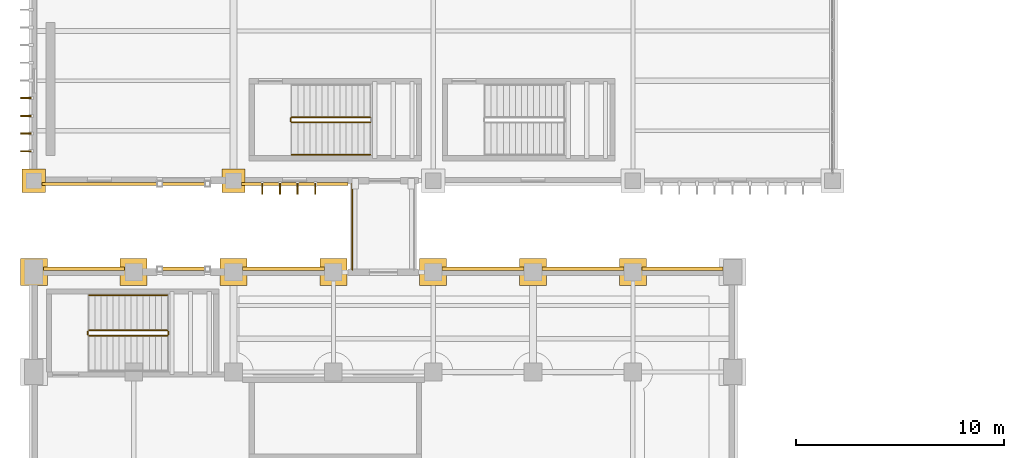
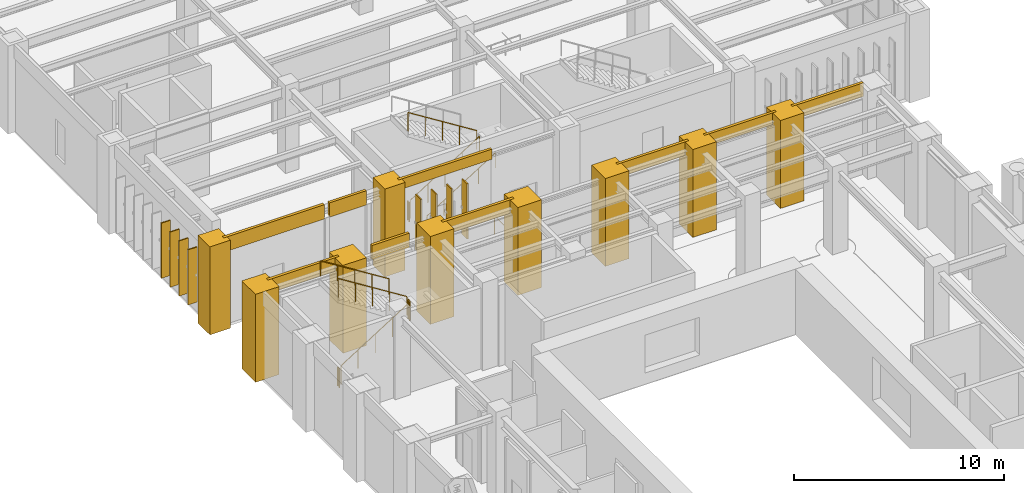
# One storey, part 165 of 174: 18 coverings, 10 railings, 8 shading devices.
"""IFC4 building model written with IfcOpenShell, lengths in metres."""

from ifc_helpers import new_model, si_unit, direction, frame, origin, origin_2d, place, context, subcontext, project, spatial, polyline, rectangle, circle, outline, extrude, material, layer, layer_set, type_object, element, save


model = new_model("IFC4")

# Units and contexts
model_context = context("Model", 3, precision=1e-05, world=origin(), true_north=direction((0.0, 1.0)))
body_context = subcontext(model_context, "Body", "Model", "MODEL_VIEW")
ifc_project = project(units=[si_unit("LENGTHUNIT", "METRE"), si_unit("AREAUNIT", "SQUARE_METRE"), si_unit("VOLUMEUNIT", "CUBIC_METRE"), si_unit("PLANEANGLEUNIT", "RADIAN"), si_unit("MASSUNIT", "GRAM", prefix="KILO")], contexts=[model_context])

# Site, building, storey
site_placement = place(None, origin())
site = spatial("IfcSite", under=ifc_project, at=site_placement, CompositionType="ELEMENT")
building_placement = place(site_placement, origin())
building = spatial("IfcBuilding", under=site, at=building_placement, Name="Mavantir Sound Aquarium", CompositionType="ELEMENT")
storey_placement = place(building_placement, frame((0.0, 0.0, 5.39990234375)))
storey = spatial("IfcBuildingStorey", under=building, at=storey_placement, Name="L01", CompositionType="ELEMENT", Elevation=5.39990234375)

# Coverings
ifc_material_1 = material(Name="Honed Coral-Limestone & Glazed Terracotta Rainscreen Cladding", Category="masonry")
ifc_layer = layer(ifc_material_1, 0.06005859375, Name="Honed Coral-Limestone & Glazed Terracotta Rainscreen Cladding")
ifc_layer_set = layer_set([ifc_layer], Name="Honed Coral-Limestone & Glazed Terracotta Rainscreen Cladding")
covering_type = type_object("IfcCoveringType", Name="COV-CLAD-TC", PredefinedType="CLADDING", material=ifc_layer_set)
covering_1_placement = place(storey_placement, frame((0.0, 0.0, 4.30810546875)))
element("IfcCovering", 1, at=covering_1_placement, inside=storey, type_object=covering_type, Name="L01 Postmodern coral-limestone spandrel frieze 162", PredefinedType="CLADDING", context=body_context, shape_type="SweptSolid", body=[
    extrude(outline(polyline([(33.14208984375, 79.2900390625), (29.23291015625, 79.2900390625), (29.23291015625, 79.43994140625), (33.14208984375, 79.43994140625), (33.14208984375, 79.2900390625)])), origin(), (0.0, 0.0, 1.0), 0.7919921875),
])
covering_2_placement = place(storey_placement, frame((0.0, 0.0, 4.4130859375)))
element("IfcCovering", 2, at=covering_2_placement, inside=storey, type_object=covering_type, Name="L01 Postmodern coral-limestone spandrel frieze 163", PredefinedType="CLADDING", context=body_context, shape_type="SweptSolid", body=[
    extrude(outline(polyline([(28.366943359375, 79.2900390625), (24.43310546875, 79.2900390625), (24.43310546875, 79.43994140625), (28.366943359375, 79.43994140625), (28.366943359375, 79.2900390625)])), origin(), (0.0, 0.0, 1.0), 0.68701171875),
])
covering_3_placement = place(storey_placement, frame((0.0, 0.0, 4.30810546875)))
element("IfcCovering", 3, at=covering_3_placement, inside=storey, type_object=covering_type, Name="L01 Postmodern coral-limestone spandrel frieze 164", PredefinedType="CLADDING", context=body_context, shape_type="SweptSolid", body=[
    extrude(outline(polyline([(23.56689453125, 79.2900390625), (19.633056640625, 79.2900390625), (19.633056640625, 79.43994140625), (23.56689453125, 79.43994140625), (23.56689453125, 79.2900390625)])), origin(), (0.0, 0.0, 1.0), 0.7919921875),
])
covering_4_placement = place(storey_placement, frame((0.0, 0.0, 4.30810546875)))
element("IfcCovering", 4, at=covering_4_placement, inside=storey, type_object=covering_type, Name="L01 Postmodern coral-limestone spandrel frieze 165", PredefinedType="CLADDING", context=body_context, shape_type="SweptSolid", body=[
    extrude(outline(polyline([(13.967041015625, 79.2900390625), (10.032958984375, 79.2900390625), (10.032958984375, 79.43994140625), (13.967041015625, 79.43994140625), (13.967041015625, 79.2900390625)])), origin(), (0.0, 0.0, 1.0), 0.7919921875),
])
covering_5_placement = place(storey_placement, frame((0.0, 0.0, 4.27099609375)))
element("IfcCovering", 5, at=covering_5_placement, inside=storey, type_object=covering_type, Name="L01 Postmodern coral-limestone spandrel frieze 166", PredefinedType="CLADDING", context=body_context, shape_type="SweptSolid", body=[
    extrude(outline(polyline([(8.217041015625, 79.2900390625), (6.18310546875, 79.2900390625), (6.18310546875, 79.43994140625), (8.217041015625, 79.43994140625), (8.217041015625, 79.2900390625)])), origin(), (0.0, 0.0, 1.0), 0.8291015625),
])
covering_6_placement = place(storey_placement, frame((0.0, 0.0, 4.30810546875)))
element("IfcCovering", 6, at=covering_6_placement, inside=storey, type_object=covering_type, Name="L01 Postmodern coral-limestone spandrel frieze 167", PredefinedType="CLADDING", context=body_context, shape_type="SweptSolid", body=[
    extrude(outline(polyline([(4.366943359375, 79.2900390625), (0.4580078125, 79.2900390625), (0.4580078125, 79.43994140625), (4.366943359375, 79.43994140625), (4.366943359375, 79.2900390625)])), origin(), (0.0, 0.0, 1.0), 0.7919921875),
])
covering_7_placement = place(storey_placement, frame((0.0, 0.0, 4.27099609375)))
element("IfcCovering", 7, at=covering_7_placement, inside=storey, type_object=covering_type, Name="L01 Postmodern coral-limestone spandrel frieze 255", PredefinedType="CLADDING", context=body_context, shape_type="SweptSolid", body=[
    extrude(outline(polyline([(0.383056640625, 83.510009765625), (5.9169921875, 83.510009765625), (5.9169921875, 83.360107421875), (0.383056640625, 83.360107421875), (0.383056640625, 83.510009765625)])), origin(), (0.0, 0.0, 1.0), 0.8291015625),
])
covering_8_placement = place(storey_placement, frame((0.0, 0.0, 4.27099609375)))
element("IfcCovering", 8, at=covering_8_placement, inside=storey, type_object=covering_type, Name="L01 Postmodern coral-limestone spandrel frieze 256", PredefinedType="CLADDING", context=body_context, shape_type="SweptSolid", body=[
    extrude(outline(polyline([(6.18310546875, 83.510009765625), (8.217041015625, 83.510009765625), (8.217041015625, 83.360107421875), (6.18310546875, 83.360107421875), (6.18310546875, 83.510009765625)])), origin(), (0.0, 0.0, 1.0), 0.8291015625),
])
covering_9_placement = place(storey_placement, frame((0.0, 0.0, 4.51318359375)))
element("IfcCovering", 9, at=covering_9_placement, inside=storey, type_object=covering_type, Name="L01 Postmodern coral-limestone spandrel frieze 257", PredefinedType="CLADDING", context=body_context, shape_type="SweptSolid", body=[
    extrude(outline(polyline([(9.98291015625, 83.510009765625), (15.094970703125, 83.510009765625), (15.094970703125, 83.360107421875), (9.98291015625, 83.360107421875), (9.98291015625, 83.510009765625)])), origin(), (0.0, 0.0, 1.0), 0.5869140625),
])
covering_10_placement = place(storey_placement, origin())
element("IfcCovering", 10, at=covering_10_placement, inside=storey, type_object=covering_type, Name="L01 Postmodern coral-limestone pilaster casing 34", PredefinedType="CLADDING", context=body_context, shape_type="SweptSolid", body=[
    extrude(outline(polyline([(-0.64990234375, 78.550048828125), (0.64990234375, 78.550048828125), (0.64990234375, 79.85009765625), (-0.64990234375, 79.85009765625), (-0.64990234375, 78.550048828125)])), origin(), (0.0, 0.0, 1.0), 5.10009765625),
])
covering_11_placement = place(storey_placement, origin())
element("IfcCovering", 11, at=covering_11_placement, inside=storey, type_object=covering_type, Name="L01 Postmodern coral-limestone pilaster casing 42", PredefinedType="CLADDING", context=body_context, shape_type="SweptSolid", body=[
    extrude(outline(polyline([(4.14990234375, 78.550048828125), (5.449951171875, 78.550048828125), (5.449951171875, 79.85009765625), (4.14990234375, 79.85009765625), (4.14990234375, 78.550048828125)])), origin(), (0.0, 0.0, 1.0), 5.10009765625),
])
covering_12_placement = place(storey_placement, origin())
element("IfcCovering", 12, at=covering_12_placement, inside=storey, type_object=covering_type, Name="L01 Postmodern coral-limestone pilaster casing 50", PredefinedType="CLADDING", context=body_context, shape_type="SweptSolid", body=[
    extrude(outline(polyline([(8.949951171875, 78.550048828125), (10.25, 78.550048828125), (10.25, 79.85009765625), (8.949951171875, 79.85009765625), (8.949951171875, 78.550048828125)])), origin(), (0.0, 0.0, 1.0), 5.10009765625),
])
covering_13_placement = place(storey_placement, origin())
element("IfcCovering", 13, at=covering_13_placement, inside=storey, type_object=covering_type, Name="L01 Postmodern coral-limestone pilaster casing 58", PredefinedType="CLADDING", context=body_context, shape_type="SweptSolid", body=[
    extrude(outline(polyline([(13.75, 78.550048828125), (15.050048828125, 78.550048828125), (15.050048828125, 79.85009765625), (13.75, 79.85009765625), (13.75, 78.550048828125)])), origin(), (0.0, 0.0, 1.0), 5.10009765625),
])
covering_14_placement = place(storey_placement, origin())
element("IfcCovering", 14, at=covering_14_placement, inside=storey, type_object=covering_type, Name="L01 Postmodern coral-limestone pilaster casing 66", PredefinedType="CLADDING", context=body_context, shape_type="SweptSolid", body=[
    extrude(outline(polyline([(18.550048828125, 78.550048828125), (19.85009765625, 78.550048828125), (19.85009765625, 79.85009765625), (18.550048828125, 79.85009765625), (18.550048828125, 78.550048828125)])), origin(), (0.0, 0.0, 1.0), 5.10009765625),
])
covering_15_placement = place(storey_placement, origin())
element("IfcCovering", 15, at=covering_15_placement, inside=storey, type_object=covering_type, Name="L01 Postmodern coral-limestone pilaster casing 74", PredefinedType="CLADDING", context=body_context, shape_type="SweptSolid", body=[
    extrude(outline(polyline([(23.35009765625, 78.550048828125), (24.64990234375, 78.550048828125), (24.64990234375, 79.85009765625), (23.35009765625, 79.85009765625), (23.35009765625, 78.550048828125)])), origin(), (0.0, 0.0, 1.0), 5.10009765625),
])
covering_16_placement = place(storey_placement, origin())
element("IfcCovering", 16, at=covering_16_placement, inside=storey, type_object=covering_type, Name="L01 Postmodern coral-limestone pilaster casing 82", PredefinedType="CLADDING", context=body_context, shape_type="SweptSolid", body=[
    extrude(outline(polyline([(28.14990234375, 78.550048828125), (29.449951171875, 78.550048828125), (29.449951171875, 79.85009765625), (28.14990234375, 79.85009765625), (28.14990234375, 78.550048828125)])), origin(), (0.0, 0.0, 1.0), 5.10009765625),
])
covering_17_placement = place(storey_placement, origin())
element("IfcCovering", 17, at=covering_17_placement, inside=storey, type_object=covering_type, Name="L01 Postmodern coral-limestone pilaster casing 344", PredefinedType="CLADDING", context=body_context, shape_type="SweptSolid", body=[
    extrude(outline(polyline([(-0.56005859375, 83.0400390625), (0.56005859375, 83.0400390625), (0.56005859375, 84.159912109375), (-0.56005859375, 84.159912109375), (-0.56005859375, 83.0400390625)])), origin(), (0.0, 0.0, 1.0), 5.10009765625),
])
covering_18_placement = place(storey_placement, origin())
element("IfcCovering", 18, at=covering_18_placement, inside=storey, type_object=covering_type, Name="L01 Postmodern coral-limestone pilaster casing 367", PredefinedType="CLADDING", context=body_context, shape_type="SweptSolid", body=[
    extrude(outline(polyline([(9.0400390625, 83.0400390625), (10.159912109375, 83.0400390625), (10.159912109375, 84.159912109375), (9.0400390625, 84.159912109375), (9.0400390625, 83.0400390625)])), origin(), (0.0, 0.0, 1.0), 5.10009765625),
])

# Railings
ifc_material_2 = material(Name="Stainless Steel 316 Bridge Balustrade", Category="steel")
railing_type_1 = type_object("IfcRailingType", Name="RL-BAL-110", PredefinedType="BALUSTRADE", material=ifc_material_2)
railing_1_placement = place(storey_placement, frame((15.320068359375, 79.320068359375, 0.0)))
element("IfcRailing", 19, at=railing_1_placement, inside=storey, type_object=railing_type_1, Name="L01 bridge W guardrail 8", PredefinedType="BALUSTRADE", context=body_context, shape_type="SweptSolid", body=[
    extrude(circle(Radius=0.02392578125, at=origin_2d()), frame((0.0, 0.0, 1.076171875), z_axis=(0.0, 1.0, 0.0), x_axis=(-1.0, 0.0, 0.0)), (0.0, 0.0, 1.0), 4.159912109375),
    extrude(circle(Radius=0.02099609375, at=origin_2d()), origin(), (0.0, 0.0, 1.0), 1.052001953125),
    extrude(circle(Radius=0.02099609375, at=origin_2d()), frame((0.0, 1.0400390625, 0.0)), (0.0, 0.0, 1.0), 1.052001953125),
    extrude(circle(Radius=0.02099609375, at=origin_2d()), frame((0.0, 2.080078125, 0.0)), (0.0, 0.0, 1.0), 1.052001953125),
    extrude(circle(Radius=0.02099609375, at=origin_2d()), frame((0.0, 3.119873046875, 0.0)), (0.0, 0.0, 1.0), 1.052001953125),
    extrude(circle(Radius=0.02099609375, at=origin_2d()), frame((0.0, 4.159912109375, 0.0)), (0.0, 0.0, 1.0), 1.052001953125),
])
ifc_material_3 = material(Name="Stainless Steel 316 and Laminated Glass Guardrail", Category="steel")
railing_type_2 = type_object("IfcRailingType", Name="RL-GUARD-110", PredefinedType="GUARDRAIL", material=ifc_material_3)
railing_2_placement = place(storey_placement, frame((2.64990234375, 76.14990234375, 0.18212890625)))
element("IfcRailing", 20, at=railing_2_placement, inside=storey, type_object=railing_type_2, Name="L01 ST2 stair guard 1", PredefinedType="GUARDRAIL", context=body_context, shape_type="SweptSolid", body=[
    extrude(circle(Radius=0.02392578125, at=origin_2d()), frame((0.0, 0.0, 1.076171875), z_axis=(0.846819337722, 0.0, 0.53188063441), x_axis=(0.0, 1.0, 0.0)), (0.0, 0.0, 1.0), 4.451904296875),
    extrude(circle(Radius=0.02099609375, at=origin_2d()), origin(), (0.0, 0.0, 1.0), 1.052001953125),
    extrude(circle(Radius=0.02099609375, at=origin_2d()), frame((0.9423828125, 0.0, 0.592041015625)), (0.0, 0.0, 1.0), 1.052001953125),
    extrude(circle(Radius=0.02099609375, at=origin_2d()), frame((1.885009765625, 0.0, 1.18408203125)), (0.0, 0.0, 1.0), 1.052001953125),
    extrude(circle(Radius=0.02099609375, at=origin_2d()), frame((2.82763671875, 0.0, 1.77587890625)), (0.0, 0.0, 1.0), 1.052001953125),
    extrude(circle(Radius=0.02099609375, at=origin_2d()), frame((3.77001953125, 0.0, 2.367919921875)), (0.0, 0.0, 1.0), 1.052001953125),
])
railing_3_placement = place(storey_placement, frame((6.469970703125, 76.199951171875, 2.550048828125)))
element("IfcRailing", 21, at=railing_3_placement, inside=storey, type_object=railing_type_2, Name="L01 ST2 stair guard 2", PredefinedType="GUARDRAIL", context=body_context, shape_type="SweptSolid", body=[
    extrude(circle(Radius=0.02392578125, at=origin_2d()), frame((0.0, 0.0, 1.076171875), z_axis=(0.0, 1.0, 0.0), x_axis=(-1.0, 0.0, 0.0)), (0.0, 0.0, 1.0), 0.150146484375),
    extrude(circle(Radius=0.02099609375, at=origin_2d()), origin(), (0.0, 0.0, 1.0), 1.052001953125),
    extrude(circle(Radius=0.02099609375, at=origin_2d()), frame((0.0, 0.150146484375, 0.0)), (0.0, 0.0, 1.0), 1.052001953125),
])
railing_4_placement = place(storey_placement, frame((6.419921875, 76.39990234375, 2.732177734375)))
element("IfcRailing", 22, at=railing_4_placement, inside=storey, type_object=railing_type_2, Name="L01 ST2 stair guard 3", PredefinedType="GUARDRAIL", context=body_context, shape_type="SweptSolid", body=[
    extrude(circle(Radius=0.02392578125, at=origin_2d()), frame((0.0, 0.0, 1.076171875), z_axis=(-0.846819337722, 0.0, 0.53188063441), x_axis=(0.0, -1.0, 0.0)), (0.0, 0.0, 1.0), 4.451904296875),
    extrude(circle(Radius=0.02099609375, at=origin_2d()), origin(), (0.0, 0.0, 1.0), 1.052001953125),
    extrude(circle(Radius=0.02099609375, at=origin_2d()), frame((-0.9423828125, 0.0, 0.592041015625)), (0.0, 0.0, 1.0), 1.052001953125),
    extrude(circle(Radius=0.02099609375, at=origin_2d()), frame((-1.885009765625, 0.0, 1.18408203125)), (0.0, 0.0, 1.0), 1.052001953125),
    extrude(circle(Radius=0.02099609375, at=origin_2d()), frame((-2.82763671875, 0.0, 1.77587890625)), (0.0, 0.0, 1.0), 1.052001953125),
    extrude(circle(Radius=0.02099609375, at=origin_2d()), frame((-3.77001953125, 0.0, 2.367919921875)), (0.0, 0.0, 1.0), 1.052001953125),
])
railing_5_placement = place(storey_placement, frame((2.60009765625, 76.199951171875, 0.0)))
element("IfcRailing", 23, at=railing_5_placement, inside=storey, type_object=railing_type_2, Name="L01 ST2 stair guard 4", PredefinedType="GUARDRAIL", context=body_context, shape_type="SweptSolid", body=[
    extrude(circle(Radius=0.02392578125, at=origin_2d()), frame((0.0, 0.0, 1.076171875), z_axis=(0.0, 1.0, 0.0), x_axis=(-1.0, 0.0, 0.0)), (0.0, 0.0, 1.0), 0.150146484375),
    extrude(circle(Radius=0.02099609375, at=origin_2d()), origin(), (0.0, 0.0, 1.0), 1.052001953125),
    extrude(circle(Radius=0.02099609375, at=origin_2d()), frame((0.0, 0.150146484375, 0.0)), (0.0, 0.0, 1.0), 1.052001953125),
])
railing_6_placement = place(storey_placement, frame((12.39990234375, 86.39990234375, 0.18212890625)))
element("IfcRailing", 24, at=railing_6_placement, inside=storey, type_object=railing_type_2, Name="L01 ST5 stair guard 1", PredefinedType="GUARDRAIL", context=body_context, shape_type="SweptSolid", body=[
    extrude(circle(Radius=0.02392578125, at=origin_2d()), frame((0.0, 0.0, 1.076171875), z_axis=(0.846819337722, 0.0, 0.53188063441), x_axis=(0.0, 1.0, 0.0)), (0.0, 0.0, 1.0), 4.451904296875),
    extrude(circle(Radius=0.02099609375, at=origin_2d()), origin(), (0.0, 0.0, 1.0), 1.052001953125),
    extrude(circle(Radius=0.02099609375, at=origin_2d()), frame((0.9423828125, 0.0, 0.592041015625)), (0.0, 0.0, 1.0), 1.052001953125),
    extrude(circle(Radius=0.02099609375, at=origin_2d()), frame((1.885009765625, 0.0, 1.18408203125)), (0.0, 0.0, 1.0), 1.052001953125),
    extrude(circle(Radius=0.02099609375, at=origin_2d()), frame((2.82763671875, 0.0, 1.77587890625)), (0.0, 0.0, 1.0), 1.052001953125),
    extrude(circle(Radius=0.02099609375, at=origin_2d()), frame((3.77001953125, 0.0, 2.367919921875)), (0.0, 0.0, 1.0), 1.052001953125),
])
railing_7_placement = place(storey_placement, frame((16.169921875, 86.64990234375, 2.732177734375)))
element("IfcRailing", 25, at=railing_7_placement, inside=storey, type_object=railing_type_2, Name="L01 ST5 stair guard 3", PredefinedType="GUARDRAIL", context=body_context, shape_type="SweptSolid", body=[
    extrude(circle(Radius=0.02392578125, at=origin_2d()), frame((0.0, 0.0, 1.076171875), z_axis=(-0.846819337722, 0.0, 0.53188063441), x_axis=(0.0, -1.0, 0.0)), (0.0, 0.0, 1.0), 4.451904296875),
    extrude(circle(Radius=0.02099609375, at=origin_2d()), origin(), (0.0, 0.0, 1.0), 1.052001953125),
    extrude(circle(Radius=0.02099609375, at=origin_2d()), frame((-0.9423828125, 0.0, 0.592041015625)), (0.0, 0.0, 1.0), 1.052001953125),
    extrude(circle(Radius=0.02099609375, at=origin_2d()), frame((-1.885009765625, 0.0, 1.18408203125)), (0.0, 0.0, 1.0), 1.052001953125),
    extrude(circle(Radius=0.02099609375, at=origin_2d()), frame((-2.82763671875, 0.0, 1.77587890625)), (0.0, 0.0, 1.0), 1.052001953125),
    extrude(circle(Radius=0.02099609375, at=origin_2d()), frame((-3.77001953125, 0.0, 2.367919921875)), (0.0, 0.0, 1.0), 1.052001953125),
])
railing_8_placement = place(storey_placement, frame((12.35009765625, 86.449951171875, 0.0)))
element("IfcRailing", 26, at=railing_8_placement, inside=storey, type_object=railing_type_2, Name="L01 ST5 stair guard 4", PredefinedType="GUARDRAIL", context=body_context, shape_type="SweptSolid", body=[
    extrude(circle(Radius=0.02392578125, at=origin_2d()), frame((0.0, 0.0, 1.076171875), z_axis=(0.0, 1.0, 0.0), x_axis=(-1.0, 0.0, 0.0)), (0.0, 0.0, 1.0), 0.150146484375),
    extrude(circle(Radius=0.02099609375, at=origin_2d()), origin(), (0.0, 0.0, 1.0), 1.052001953125),
    extrude(circle(Radius=0.02099609375, at=origin_2d()), frame((0.0, 0.150146484375, 0.0)), (0.0, 0.0, 1.0), 1.052001953125),
])
ifc_material_4 = material(Name="Brushed Stainless Steel 316 Handrail", Category="steel")
railing_type_3 = type_object("IfcRailingType", Name="RL-HR-90", PredefinedType="HANDRAIL", material=ifc_material_4)
railing_9_placement = place(storey_placement, frame((6.419921875, 78.10009765625, 2.917236328125)))
element("IfcRailing", 27, at=railing_9_placement, inside=storey, type_object=railing_type_3, Name="L01 ST2 stair handrail 2", PredefinedType="HANDRAIL", context=body_context, shape_type="SweptSolid", body=[
    extrude(circle(Radius=0.02392578125, at=origin_2d()), frame((0.0, 0.0, 0.89111328125), z_axis=(-0.846819337722, 0.0, 0.53188063441), x_axis=(0.0, -1.0, 0.0)), (0.0, 0.0, 1.0), 4.451904296875),
    extrude(circle(Radius=0.02099609375, at=origin_2d()), origin(), (0.0, 0.0, 1.0), 0.866943359375),
    extrude(circle(Radius=0.02099609375, at=origin_2d()), frame((-0.9423828125, 0.0, 0.592041015625)), (0.0, 0.0, 1.0), 0.866943359375),
    extrude(circle(Radius=0.02099609375, at=origin_2d()), frame((-1.885009765625, 0.0, 1.18408203125)), (0.0, 0.0, 1.0), 0.866943359375),
    extrude(circle(Radius=0.02099609375, at=origin_2d()), frame((-2.82763671875, 0.0, 1.77587890625)), (0.0, 0.0, 1.0), 0.866943359375),
    extrude(circle(Radius=0.02099609375, at=origin_2d()), frame((-3.77001953125, 0.0, 2.367919921875)), (0.0, 0.0, 1.0), 0.866943359375),
])
railing_10_placement = place(storey_placement, frame((12.39990234375, 84.85009765625, 0.3671875)))
element("IfcRailing", 28, at=railing_10_placement, inside=storey, type_object=railing_type_3, Name="L01 ST5 stair handrail 1", PredefinedType="HANDRAIL", context=body_context, shape_type="SweptSolid", body=[
    extrude(circle(Radius=0.02392578125, at=origin_2d()), frame((0.0, 0.0, 0.89111328125), z_axis=(0.846819337722, 0.0, 0.53188063441), x_axis=(0.0, 1.0, 0.0)), (0.0, 0.0, 1.0), 4.451904296875),
    extrude(circle(Radius=0.02099609375, at=origin_2d()), origin(), (0.0, 0.0, 1.0), 0.866943359375),
    extrude(circle(Radius=0.02099609375, at=origin_2d()), frame((0.9423828125, 0.0, 0.592041015625)), (0.0, 0.0, 1.0), 0.866943359375),
    extrude(circle(Radius=0.02099609375, at=origin_2d()), frame((1.885009765625, 0.0, 1.18408203125)), (0.0, 0.0, 1.0), 0.866943359375),
    extrude(circle(Radius=0.02099609375, at=origin_2d()), frame((2.82763671875, 0.0, 1.77587890625)), (0.0, 0.0, 1.0), 0.866943359375),
    extrude(circle(Radius=0.02099609375, at=origin_2d()), frame((3.77001953125, 0.0, 2.367919921875)), (0.0, 0.0, 1.0), 0.866943359375),
])

# Shading devices
ifc_material_5 = material(Name="Anodised Terracotta-Finish Aluminium Brise-Soleil", Category="masonry")
shading_device_type = type_object("IfcShadingDeviceType", Name="SHD-FIN-520", PredefinedType="JALOUSIE", material=ifc_material_5)
for number, where, z_axis, x_axis, name in (
    (29, (-0.375, 87.56689453125, 0.57470703125), (0.0, 0.0, 1.0), (0.0, 1.0, 0.0), "Tropical solar brise-soleil fin 12"),
    (30, (-0.375, 86.717041015625, 0.57470703125), (0.0, 0.0, 1.0), (0.0, 1.0, 0.0), "Tropical solar brise-soleil fin 13"),
    (31, (-0.375, 85.866943359375, 0.57470703125), (0.0, 0.0, 1.0), (0.0, 1.0, 0.0), "Tropical solar brise-soleil fin 14"),
    (32, (-0.375, 85.01708984375, 0.57470703125), (0.0, 0.0, 1.0), (0.0, 1.0, 0.0), "Tropical solar brise-soleil fin 15"),
    (33, (10.98291015625, 83.205078125, 0.681640625), (0.0, 0.0, 1.0), (-1.0, 0.0, 0.0), "Tropical solar brise-soleil fin 16"),
    (34, (11.8330078125, 83.205078125, 0.681640625), (0.0, 0.0, 1.0), (-1.0, 0.0, 0.0), "Tropical solar brise-soleil fin 17"),
    (35, (12.68310546875, 83.205078125, 0.681640625), (0.0, 0.0, 1.0), (-1.0, 0.0, 0.0), "Tropical solar brise-soleil fin 18"),
    (36, (13.532958984375, 83.205078125, 0.681640625), (0.0, 0.0, 1.0), (-1.0, 0.0, 0.0), "Tropical solar brise-soleil fin 19"),
):
    element("IfcShadingDevice", number, at=place(storey_placement, frame(where, z_axis=z_axis, x_axis=x_axis)), inside=storey, type_object=shading_device_type, Name=name, PredefinedType="JALOUSIE", context=body_context, shape_type="SweptSolid", body=[
        extrude(rectangle(XDim=0.06494140625, YDim=0.52001953125, at=origin_2d()), origin(), (0.0, 0.0, 1.0), 3.199951171875),
    ])

save(model, "model.ifc")
